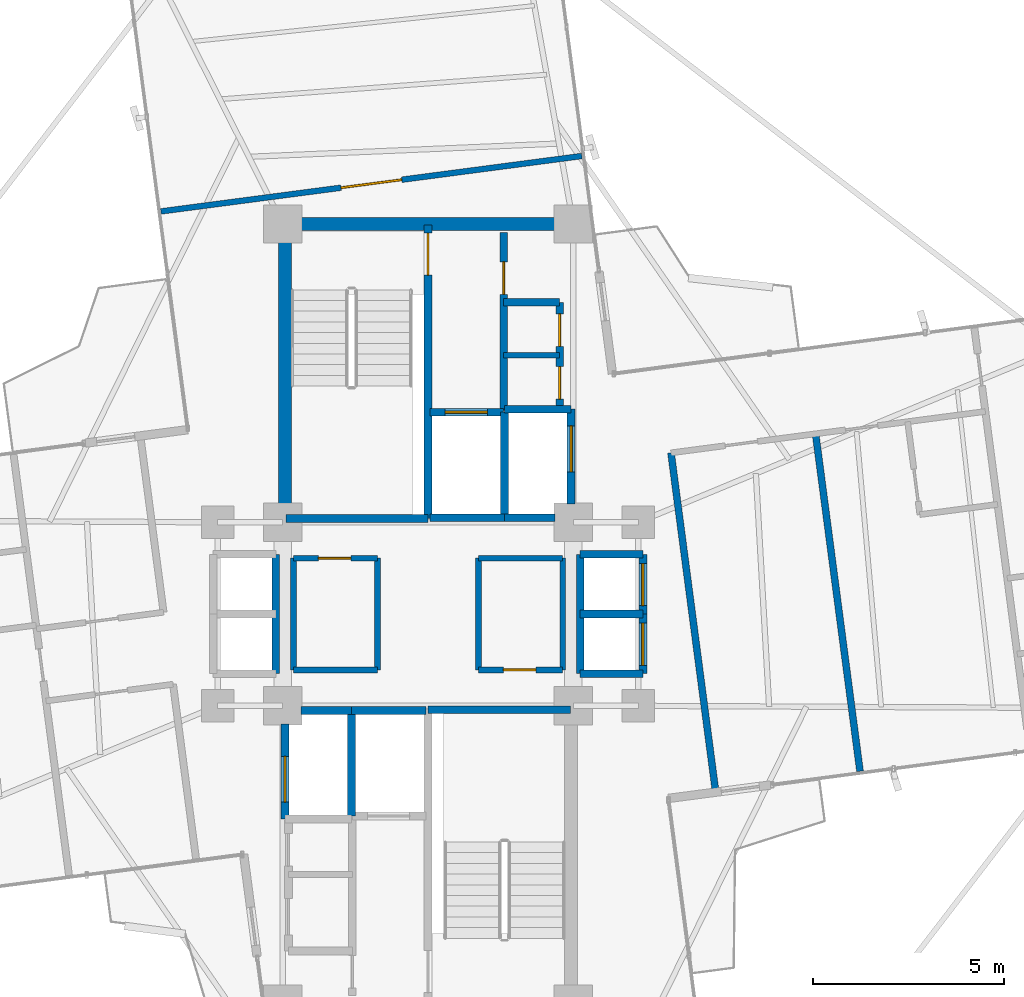
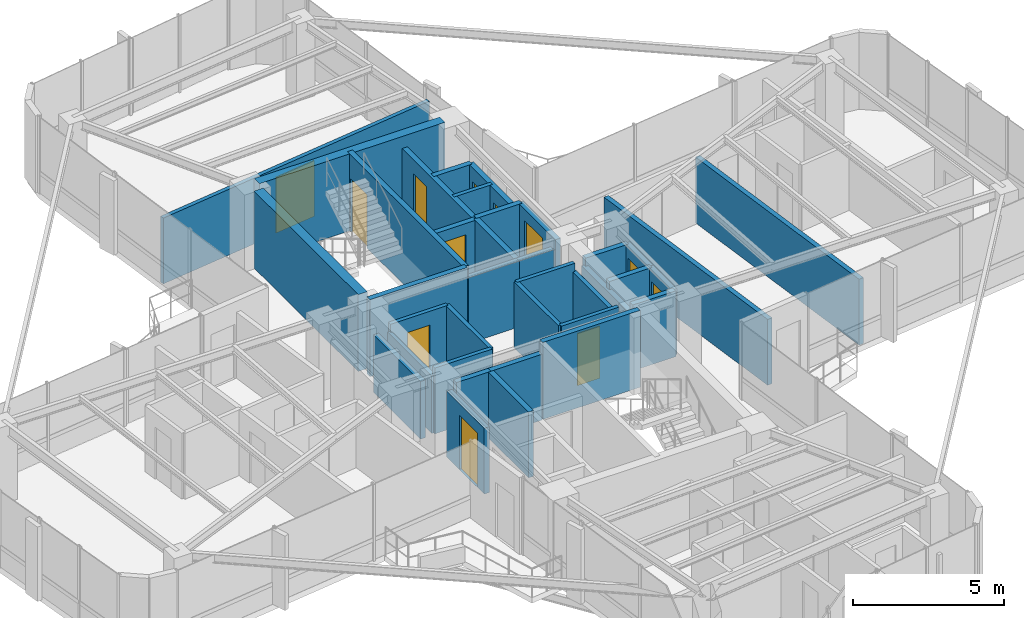
# One storey, part 20 of 22: 37 walls, 12 doors, 12 openings.
"""IFC4 building model written with IfcOpenShell, lengths in metres."""

from ifc_helpers import new_model, si_unit, direction, frame, frame_2d, origin, origin_2d, place, context, subcontext, project, spatial, rectangle, extrude, source, transform, mapped, material, layer, layer_set, type_object, element, fill, save


model = new_model("IFC4")

# Units and contexts
model_context = context("Model", 3, precision=1e-05, world=origin(), true_north=direction((0.0, 1.0)))
body_context = subcontext(model_context, "Body", "Model", "MODEL_VIEW")
ifc_project = project(units=[si_unit("LENGTHUNIT", "METRE"), si_unit("AREAUNIT", "SQUARE_METRE"), si_unit("VOLUMEUNIT", "CUBIC_METRE"), si_unit("PLANEANGLEUNIT", "RADIAN"), si_unit("MASSUNIT", "GRAM", prefix="KILO")], contexts=[model_context])

# Site, building, storey
site_placement = place(None, origin())
site = spatial("IfcSite", under=ifc_project, at=site_placement, CompositionType="ELEMENT")
building_placement = place(site_placement, origin())
building = spatial("IfcBuilding", under=site, at=building_placement, Name="Sahyath Konkavel Grand Hotel", CompositionType="ELEMENT")
storey_placement = place(building_placement, frame((0.0, 0.0, 269.10009765625)))
storey = spatial("IfcBuildingStorey", under=building, at=storey_placement, Name="L75", CompositionType="ELEMENT", Elevation=269.10009765625)

# Walls
ifc_material_1 = material(Name="Concrete C40/50", Category="concrete")
ifc_layer_1 = layer(ifc_material_1, 0.35009765625)
ifc_layer_set_1 = layer_set([ifc_layer_1], Name="Concrete C40/50")
wall_type_1 = type_object("IfcWallType", Name="CWALL-350", PredefinedType="SHEAR", material=ifc_layer_set_1)
wall_1_placement = place(storey_placement, frame((-3.550048828125, 10.199951171875, 0.0), z_axis=(0.0, 0.0, 1.0), x_axis=(1.0, 0.0, 0.0)))
element("IfcWall", 1, at=wall_1_placement, inside=storey, type_object=wall_type_1, Name="L75 North Core Shear Wall N", PredefinedType="SHEAR", context=body_context, shape_type="SweptSolid", body=[
    extrude(rectangle(XDim=7.10009765625, YDim=0.35009765625, at=frame_2d((3.550048828125, 0.0))), origin(), (0.0, 0.0, 1.0), 3.10986328125),
])
wall_2_placement = place(storey_placement, frame((-3.739990234375, 2.85009765625, 0.0), z_axis=(0.0, 0.0, 1.0), x_axis=(0.0, 1.0, 0.0)))
element("IfcWall", 2, at=wall_2_placement, inside=storey, type_object=wall_type_1, Name="L75 North Core Shear Wall W", PredefinedType="SHEAR", context=body_context, shape_type="SweptSolid", body=[
    extrude(rectangle(XDim=6.89990234375, YDim=0.35009765625, at=frame_2d((3.449951171875, 0.0))), origin(), (0.0, 0.0, 1.0), 3.10986328125),
])

# Wall, opening, door
ifc_layer_2 = layer(ifc_material_1, 0.199951171875)
ifc_layer_set_2 = layer_set([ifc_layer_2], Name="Concrete C40/50")
wall_type_2 = type_object("IfcWallType", Name="WLL-CORE-200", PredefinedType="SOLIDWALL", material=ifc_layer_set_2)
wall_3_placement = place(storey_placement, frame((0.0, 2.5, 0.0), z_axis=(0.0, 0.0, 1.0), x_axis=(0.0, 1.0, 0.0)))
wall_3 = element("IfcWall", 3, at=wall_3_placement, inside=storey, type_object=wall_type_2, Name="L75 Stair ST-1 Shaft Wall E", PredefinedType="SOLIDWALL", context=body_context, shape_type="SweptSolid", body=[
    extrude(rectangle(XDim=7.679931640625, YDim=0.199951171875, at=frame_2d((3.83984375, 0.0))), origin(), (0.0, 0.0, 1.0), 3.10986328125),
])
opening_1_placement = place(wall_3_placement, frame((6.360107421875, 0.0, 0.0)))
opening_1 = element("IfcOpeningElement", 4, at=opening_1_placement, cuts=wall_3, Name="Opening D-F12B", PredefinedType="OPENING", context=body_context, shape_type="SweptSolid", body=[
    extrude(rectangle(XDim=1.10009765625, YDim=2.14990234375, at=frame_2d((0.550048828125, 1.074951171875))), frame((0.0, 0.10986328125, 0.0), z_axis=(0.0, -1.0, 0.0), x_axis=(1.0, 0.0, 0.0)), (0.0, 0.0, 1.0), 0.219970703125),
])
ifc_material_2 = material(Name="Steel E350 Smokeproof Fire Door", Category="steel")
door_type_1 = type_object("IfcDoorType", Name="DR-FD120-1100", OperationType="NOTDEFINED", PredefinedType="DOOR", material=ifc_material_2)
shared_shape_1 = source(origin(), body_context, "Body", "SweptSolid", [
    extrude(rectangle(XDim=1.10009765625, YDim=0.050048828125, at=origin_2d()), origin(), (0.0, 0.0, 1.0), 2.14990234375),
])
door_1_placement = place(opening_1_placement, frame((0.550048828125, 0.0, 0.0)))
door_1 = element("IfcDoor", 5, at=door_1_placement, inside=storey, type_object=door_type_1, Name="L75 Stair ST-1 Fire Door", OperationType="SINGLE_SWING_LEFT", OverallHeight=2.14990234375, OverallWidth=1.10009765625, PredefinedType="DOOR", context=body_context, shape_type="MappedRepresentation", body=[
    mapped(shared_shape_1, transform((0.0, 0.0, 0.0), scale=1.0)),
])
fill(opening_1, door_1)

# Walls
for number, where, z_axis, x_axis, name in (
    (6, (-3.719970703125, 2.5, 0.0), (0.0, 0.0, 1.0), (1.0, 0.0, 0.0), "L75 Stair ST-1 Shaft Wall S"),
    (7, (0.0, -2.5, 0.0), (0.0, 0.0, 1.0), (1.0, 0.0, 0.0), "L75 Stair ST-2 Shaft Wall N"),
):
    element("IfcWall", number, at=place(storey_placement, frame(where, z_axis=z_axis, x_axis=x_axis)), inside=storey, type_object=wall_type_2, Name=name, PredefinedType="SOLIDWALL", context=body_context, shape_type="SweptSolid", body=[
        extrude(rectangle(XDim=3.719970703125, YDim=0.199951171875, at=frame_2d((1.85986328125, 0.0))), origin(), (0.0, 0.0, 1.0), 3.10986328125),
    ])

# Wall, opening, door
wall_4_placement = place(storey_placement, frame((1.97998046875, 5.320068359375, 0.0), z_axis=(0.0, 0.0, 1.0), x_axis=(0.0, 1.0, 0.0)))
wall_4 = element("IfcWall", 8, at=wall_4_placement, inside=storey, type_object=wall_type_2, Name="L75 North Firefighting Lobby Wall E", PredefinedType="SOLIDWALL", context=body_context, shape_type="SweptSolid", body=[
    extrude(rectangle(XDim=4.659912109375, YDim=0.199951171875, at=frame_2d((2.330078125, 0.0))), origin(), (0.0, 0.0, 1.0), 2.659912109375),
])
opening_2_placement = place(wall_4_placement, frame((3.0400390625, 0.0, 0.0)))
opening_2 = element("IfcOpeningElement", 9, at=opening_2_placement, cuts=wall_4, Name="Opening D-F12D", PredefinedType="OPENING", context=body_context, shape_type="SweptSolid", body=[
    extrude(rectangle(XDim=0.85009765625, YDim=2.10009765625, at=frame_2d((0.425048828125, 1.050048828125))), frame((0.0, 0.10986328125, 0.0), z_axis=(0.0, -1.0, 0.0), x_axis=(1.0, 0.0, 0.0)), (0.0, 0.0, 1.0), 0.219970703125),
])
ifc_material_3 = material(Name="Steel E350 Core Fire Door", Category="steel")
door_type_2 = type_object("IfcDoorType", Name="DR-FD120-850", OperationType="NOTDEFINED", PredefinedType="DOOR", material=ifc_material_3)
shared_shape_2 = source(origin(), body_context, "Body", "SweptSolid", [
    extrude(rectangle(XDim=0.85009765625, YDim=0.050048828125, at=origin_2d()), origin(), (0.0, 0.0, 1.0), 2.10009765625),
])
door_2_placement = place(opening_2_placement, frame((0.425048828125, 0.0, 0.0)))
door_2 = element("IfcDoor", 10, at=door_2_placement, inside=storey, type_object=door_type_2, Name="L75 North Firefighting Lobby Door", OperationType="SINGLE_SWING_LEFT", OverallHeight=2.10009765625, OverallWidth=0.85009765625, PredefinedType="DOOR", context=body_context, shape_type="MappedRepresentation", body=[
    mapped(shared_shape_2, transform((0.0, 0.0, 0.0), scale=1.0)),
])
fill(opening_2, door_2)

# Walls
wall_5_placement = place(storey_placement, frame((2.0, 2.5, 0.0), z_axis=(0.0, 0.0, 1.0), x_axis=(0.0, 1.0, 0.0)))
element("IfcWall", 11, at=wall_5_placement, inside=storey, type_object=wall_type_2, Name="L75 Partition SH-FFL1-E", PredefinedType="SOLIDWALL", context=body_context, shape_type="SweptSolid", body=[
    extrude(rectangle(XDim=2.780029296875, YDim=0.199951171875, at=frame_2d((1.39013671875, 0.0))), origin(), (0.0, 0.0, 1.0), 2.659912109375),
])
wall_6_placement = place(storey_placement, frame((0.050048828125, 2.52001953125, 0.0), z_axis=(0.0, 0.0, 1.0), x_axis=(1.0, 0.0, 0.0)))
element("IfcWall", 12, at=wall_6_placement, inside=storey, type_object=wall_type_2, Name="L75 Partition SH-FFL1-S", PredefinedType="SOLIDWALL", context=body_context, shape_type="SweptSolid", body=[
    extrude(rectangle(XDim=1.949951171875, YDim=0.199951171875, at=frame_2d((0.97509765625, 0.0))), origin(), (0.0, 0.0, 1.0), 2.659912109375),
])

# Wall, opening, door
wall_7_placement = place(storey_placement, frame((0.050048828125, 5.280029296875, 0.0), z_axis=(0.0, 0.0, 1.0), x_axis=(1.0, 0.0, 0.0)))
wall_7 = element("IfcWall", 13, at=wall_7_placement, inside=storey, type_object=wall_type_2, Name="L75 Partition SH-FFL1-N", PredefinedType="SOLIDWALL", context=body_context, shape_type="SweptSolid", body=[
    extrude(rectangle(XDim=1.929931640625, YDim=0.199951171875, at=frame_2d((0.96484375, 0.0))), origin(), (0.0, 0.0, 1.0), 2.659912109375),
])
opening_3_placement = place(wall_7_placement, frame((0.39990234375, 0.0, 0.0)))
opening_3 = element("IfcOpeningElement", 14, at=opening_3_placement, cuts=wall_7, Name="Opening LD-11", PredefinedType="OPENING", context=body_context, shape_type="SweptSolid", body=[
    extrude(rectangle(XDim=1.10009765625, YDim=2.199951171875, at=frame_2d((0.550048828125, 1.10009765625))), frame((0.0, 0.10986328125, 0.0), z_axis=(0.0, -1.0, 0.0), x_axis=(1.0, 0.0, 0.0)), (0.0, 0.0, 1.0), 0.219970703125),
])
ifc_material_4 = material(Name="Bronze Lift Landing Door 1100")
door_type_3 = type_object("IfcDoorType", Name="DR-LIFT-1100", OperationType="DOUBLE_DOOR_SLIDING", PredefinedType="DOOR", material=ifc_material_4)
shared_shape_3 = source(origin(), body_context, "Body", "SweptSolid", [
    extrude(rectangle(XDim=1.10009765625, YDim=0.050048828125, at=origin_2d()), origin(), (0.0, 0.0, 1.0), 2.199951171875),
])
door_3_placement = place(opening_3_placement, frame((0.550048828125, 0.0, 0.0)))
door_3 = element("IfcDoor", 15, at=door_3_placement, inside=storey, type_object=door_type_3, Name="L75 Lift FFL-1 Landing Door", OperationType="DOUBLE_DOOR_SLIDING", OverallHeight=2.199951171875, OverallWidth=1.10009765625, PredefinedType="DOOR", context=body_context, shape_type="MappedRepresentation", body=[
    mapped(shared_shape_3, transform((0.0, 0.0, 0.0), scale=1.0)),
])
fill(opening_3, door_3)

# Walls
wall_8_placement = place(storey_placement, frame((-2.0, -5.280029296875, 0.0), z_axis=(0.0, 0.0, 1.0), x_axis=(0.0, 1.0, 0.0)))
element("IfcWall", 16, at=wall_8_placement, inside=storey, type_object=wall_type_2, Name="L75 Partition SH-FFL2-W", PredefinedType="SOLIDWALL", context=body_context, shape_type="SweptSolid", body=[
    extrude(rectangle(XDim=2.780029296875, YDim=0.199951171875, at=frame_2d((1.39013671875, 0.0))), origin(), (0.0, 0.0, 1.0), 2.659912109375),
])
wall_9_placement = place(storey_placement, frame((-2.0, -2.52001953125, 0.0), z_axis=(0.0, 0.0, 1.0), x_axis=(1.0, 0.0, 0.0)))
element("IfcWall", 17, at=wall_9_placement, inside=storey, type_object=wall_type_2, Name="L75 Partition SH-FFL2-N", PredefinedType="SOLIDWALL", context=body_context, shape_type="SweptSolid", body=[
    extrude(rectangle(XDim=1.949951171875, YDim=0.199951171875, at=frame_2d((0.97509765625, 0.0))), origin(), (0.0, 0.0, 1.0), 2.659912109375),
])
wall_10_placement = place(storey_placement, frame((2.0, 2.52001953125, 0.0), z_axis=(0.0, 0.0, 1.0), x_axis=(1.0, 0.0, 0.0)))
element("IfcWall", 18, at=wall_10_placement, inside=storey, type_object=wall_type_2, Name="L75 Partition SH-SVL1-S", PredefinedType="SOLIDWALL", context=body_context, shape_type="SweptSolid", body=[
    extrude(rectangle(XDim=1.320068359375, YDim=0.199951171875, at=frame_2d((0.66015625, 0.0))), origin(), (0.0, 0.0, 1.0), 2.659912109375),
])
wall_11_placement = place(storey_placement, frame((2.0, 5.360107421875, 0.0), z_axis=(0.0, 0.0, 1.0), x_axis=(1.0, 0.0, 0.0)))
element("IfcWall", 19, at=wall_11_placement, inside=storey, type_object=wall_type_2, Name="L75 Partition SH-SVL1-N", PredefinedType="SOLIDWALL", context=body_context, shape_type="SweptSolid", body=[
    extrude(rectangle(XDim=1.739990234375, YDim=0.199951171875, at=frame_2d((0.8701171875, 0.0))), origin(), (0.0, 0.0, 1.0), 2.659912109375),
])

# Wall, opening, door
wall_12_placement = place(storey_placement, frame((3.739990234375, 2.8798828125, 0.0), z_axis=(0.0, 0.0, 1.0), x_axis=(0.0, 1.0, 0.0)))
wall_12 = element("IfcWall", 20, at=wall_12_placement, inside=storey, type_object=wall_type_2, Name="L75 Partition SH-SVL1-E", PredefinedType="SOLIDWALL", context=body_context, shape_type="SweptSolid", body=[
    extrude(rectangle(XDim=2.480224609375, YDim=0.199951171875, at=frame_2d((1.240234375, 0.0))), origin(), (0.0, 0.0, 1.0), 2.659912109375),
])
opening_4_placement = place(wall_12_placement, frame((0.840087890625, 0.0, 0.0)))
opening_4 = element("IfcOpeningElement", 21, at=opening_4_placement, cuts=wall_12, Name="Opening LD-12", PredefinedType="OPENING", context=body_context, shape_type="SweptSolid", body=[
    extrude(rectangle(XDim=1.199951171875, YDim=2.199951171875, at=frame_2d((0.60009765625, 1.10009765625))), frame((0.0, 0.10986328125, 0.0), z_axis=(0.0, -1.0, 0.0), x_axis=(1.0, 0.0, 0.0)), (0.0, 0.0, 1.0), 0.219970703125),
])
ifc_material_5 = material(Name="Stainless Steel Lift Landing Door 1200", Category="steel")
door_type_4 = type_object("IfcDoorType", Name="DR-LIFT-1200", OperationType="DOUBLE_DOOR_SLIDING", PredefinedType="DOOR", material=ifc_material_5)
shared_shape_4 = source(origin(), body_context, "Body", "SweptSolid", [
    extrude(rectangle(XDim=1.199951171875, YDim=0.050048828125, at=origin_2d()), origin(), (0.0, 0.0, 1.0), 2.199951171875),
])
door_4_placement = place(opening_4_placement, frame((0.60009765625, 0.0, 0.0)))
door_4 = element("IfcDoor", 22, at=door_4_placement, inside=storey, type_object=door_type_4, Name="L75 Service Lift SVL-1 Landing Door", OperationType="DOUBLE_DOOR_SLIDING", OverallHeight=2.199951171875, OverallWidth=1.199951171875, PredefinedType="DOOR", context=body_context, shape_type="MappedRepresentation", body=[
    mapped(shared_shape_4, transform((0.0, 0.0, 0.0), scale=1.0)),
])
fill(opening_4, door_4)

# Wall
wall_13_placement = place(storey_placement, frame((-3.320068359375, -2.52001953125, 0.0), z_axis=(0.0, 0.0, 1.0), x_axis=(1.0, 0.0, 0.0)))
element("IfcWall", 23, at=wall_13_placement, inside=storey, type_object=wall_type_2, Name="L75 Partition SH-SVL2-N", PredefinedType="SOLIDWALL", context=body_context, shape_type="SweptSolid", body=[
    extrude(rectangle(XDim=1.320068359375, YDim=0.199951171875, at=frame_2d((0.66015625, 0.0))), origin(), (0.0, 0.0, 1.0), 2.659912109375),
])

# Wall, opening, door
wall_14_placement = place(storey_placement, frame((-3.739990234375, -5.360107421875, 0.0), z_axis=(0.0, 0.0, 1.0), x_axis=(0.0, 1.0, 0.0)))
wall_14 = element("IfcWall", 24, at=wall_14_placement, inside=storey, type_object=wall_type_2, Name="L75 Partition SH-SVL2-W", PredefinedType="SOLIDWALL", context=body_context, shape_type="SweptSolid", body=[
    extrude(rectangle(XDim=2.480224609375, YDim=0.199951171875, at=frame_2d((1.240234375, 0.0))), origin(), (0.0, 0.0, 1.0), 2.659912109375),
])
opening_5_placement = place(wall_14_placement, frame((0.43994140625, 0.0, 0.0)))
opening_5 = element("IfcOpeningElement", 25, at=opening_5_placement, cuts=wall_14, Name="Opening LD-12", PredefinedType="OPENING", context=body_context, shape_type="SweptSolid", body=[
    extrude(rectangle(XDim=1.199951171875, YDim=2.199951171875, at=frame_2d((0.60009765625, 1.10009765625))), frame((0.0, 0.10986328125, 0.0), z_axis=(0.0, -1.0, 0.0), x_axis=(1.0, 0.0, 0.0)), (0.0, 0.0, 1.0), 0.219970703125),
])
door_5_placement = place(opening_5_placement, frame((0.60009765625, 0.0, 0.0)))
door_5 = element("IfcDoor", 26, at=door_5_placement, inside=storey, type_object=door_type_4, Name="L75 Service Lift SVL-2 Landing Door", OperationType="DOUBLE_DOOR_SLIDING", OverallHeight=2.199951171875, OverallWidth=1.199951171875, PredefinedType="DOOR", context=body_context, shape_type="MappedRepresentation", body=[
    mapped(shared_shape_4, transform((0.0, 0.0, 0.0), scale=1.0)),
])
fill(opening_5, door_5)

# Walls
wall_15_placement = place(storey_placement, frame((3.97998046875, -1.56005859375, 0.0), z_axis=(0.0, 0.0, 1.0), x_axis=(0.0, 1.0, 0.0)))
element("IfcWall", 27, at=wall_15_placement, inside=storey, type_object=wall_type_2, Name="L75 Partition SH-PL56-W", PredefinedType="SOLIDWALL", context=body_context, shape_type="SweptSolid", body=[
    extrude(rectangle(XDim=3.1201171875, YDim=0.199951171875, at=frame_2d((1.56005859375, 0.0))), origin(), (0.0, 0.0, 1.0), 2.329833984375),
])
for number, where, z_axis, x_axis, name in (
    (28, (3.97998046875, 1.56005859375, 0.0), (0.0, 0.0, 1.0), (1.0, 0.0, 0.0), "L75 Partition SH-PL56-N"),
    (29, (3.97998046875, -1.56005859375, 0.0), (0.0, 0.0, 1.0), (1.0, 0.0, 0.0), "L75 Partition SH-PL56-S"),
    (30, (3.97998046875, 0.0, 0.0), (0.0, 0.0, 1.0), (1.0, 0.0, 0.0), "L75 Partition SH-PL56-M"),
):
    element("IfcWall", number, at=place(storey_placement, frame(where, z_axis=z_axis, x_axis=x_axis)), inside=storey, type_object=wall_type_2, Name=name, PredefinedType="SOLIDWALL", context=body_context, shape_type="SweptSolid", body=[
        extrude(rectangle(XDim=1.64013671875, YDim=0.199951171875, at=frame_2d((0.820068359375, 0.0))), origin(), (0.0, 0.0, 1.0), 2.659912109375),
    ])

# Wall, opening, door
wall_16_placement = place(storey_placement, frame((5.6201171875, 0.0, 0.0), z_axis=(0.0, 0.0, 1.0), x_axis=(0.0, 1.0, 0.0)))
wall_16 = element("IfcWall", 31, at=wall_16_placement, inside=storey, type_object=wall_type_2, Name="L75 Partition SH-PL5-E", PredefinedType="SOLIDWALL", context=body_context, shape_type="SweptSolid", body=[
    extrude(rectangle(XDim=1.56005859375, YDim=0.199951171875, at=frame_2d((0.780029296875, 0.0))), origin(), (0.0, 0.0, 1.0), 2.659912109375),
])
opening_6_placement = place(wall_16_placement, frame((0.219970703125, 0.0, 0.0)))
opening_6 = element("IfcOpeningElement", 32, at=opening_6_placement, cuts=wall_16, Name="Opening LD-11", PredefinedType="OPENING", context=body_context, shape_type="SweptSolid", body=[
    extrude(rectangle(XDim=1.10009765625, YDim=2.199951171875, at=frame_2d((0.550048828125, 1.10009765625))), frame((0.0, 0.10986328125, 0.0), z_axis=(0.0, -1.0, 0.0), x_axis=(1.0, 0.0, 0.0)), (0.0, 0.0, 1.0), 0.219970703125),
])
door_6_placement = place(opening_6_placement, frame((0.550048828125, 0.0, 0.0)))
door_6 = element("IfcDoor", 33, at=door_6_placement, inside=storey, type_object=door_type_3, Name="L75 High-Rise Lift PL-5 Landing Door", OperationType="DOUBLE_DOOR_SLIDING", OverallHeight=2.199951171875, OverallWidth=1.10009765625, PredefinedType="DOOR", context=body_context, shape_type="MappedRepresentation", body=[
    mapped(shared_shape_3, transform((0.0, 0.0, 0.0), scale=1.0)),
])
fill(opening_6, door_6)

wall_17_placement = place(storey_placement, frame((5.6201171875, -1.56005859375, 0.0), z_axis=(0.0, 0.0, 1.0), x_axis=(0.0, 1.0, 0.0)))
wall_17 = element("IfcWall", 34, at=wall_17_placement, inside=storey, type_object=wall_type_2, Name="L75 Partition SH-PL6-E", PredefinedType="SOLIDWALL", context=body_context, shape_type="SweptSolid", body=[
    extrude(rectangle(XDim=1.56005859375, YDim=0.199951171875, at=frame_2d((0.780029296875, 0.0))), origin(), (0.0, 0.0, 1.0), 2.659912109375),
])
opening_7_placement = place(wall_17_placement, frame((0.219970703125, 0.0, 0.0)))
opening_7 = element("IfcOpeningElement", 35, at=opening_7_placement, cuts=wall_17, Name="Opening LD-11", PredefinedType="OPENING", context=body_context, shape_type="SweptSolid", body=[
    extrude(rectangle(XDim=1.10009765625, YDim=2.199951171875, at=frame_2d((0.550048828125, 1.10009765625))), frame((0.0, 0.10986328125, 0.0), z_axis=(0.0, -1.0, 0.0), x_axis=(1.0, 0.0, 0.0)), (0.0, 0.0, 1.0), 0.219970703125),
])
door_7_placement = place(opening_7_placement, frame((0.550048828125, 0.0, 0.0)))
door_7 = element("IfcDoor", 36, at=door_7_placement, inside=storey, type_object=door_type_3, Name="L75 High-Rise Lift PL-6 Landing Door", OperationType="DOUBLE_DOOR_SLIDING", OverallHeight=2.199951171875, OverallWidth=1.10009765625, PredefinedType="DOOR", context=body_context, shape_type="MappedRepresentation", body=[
    mapped(shared_shape_3, transform((0.0, 0.0, 0.0), scale=1.0)),
])
fill(opening_7, door_7)

# Wall
wall_18_placement = place(storey_placement, frame((-3.97998046875, -1.56005859375, 0.0), z_axis=(0.0, 0.0, 1.0), x_axis=(0.0, 1.0, 0.0)))
element("IfcWall", 37, at=wall_18_placement, inside=storey, type_object=wall_type_2, Name="L75 Partition SH-SL12-E", PredefinedType="SOLIDWALL", context=body_context, shape_type="SweptSolid", body=[
    extrude(rectangle(XDim=3.1201171875, YDim=0.199951171875, at=frame_2d((1.56005859375, 0.0))), origin(), (0.0, 0.0, 1.0), 2.329833984375),
])

# Wall, openings, doors
wall_19_placement = place(storey_placement, frame((3.43994140625, 5.3798828125, 0.0), z_axis=(0.0, 0.0, 1.0), x_axis=(0.0, 1.0, 0.0)))
wall_19 = element("IfcWall", 38, at=wall_19_placement, inside=storey, type_object=wall_type_2, Name="L75 Reclaimed North Core Wall E", PredefinedType="SOLIDWALL", context=body_context, shape_type="SweptSolid", body=[
    extrude(rectangle(XDim=2.77001953125, YDim=0.199951171875, at=frame_2d((1.385009765625, 0.0))), origin(), (0.0, 0.0, 1.0), 2.659912109375),
])
opening_8_placement = place(wall_19_placement, frame((0.239990234375, 0.0, 0.0)))
opening_8 = element("IfcOpeningElement", 39, at=opening_8_placement, cuts=wall_19, Name="Opening D-F06D", PredefinedType="OPENING", context=body_context, shape_type="SweptSolid", body=[
    extrude(rectangle(XDim=0.85009765625, YDim=2.10009765625, at=frame_2d((0.425048828125, 1.050048828125))), frame((0.0, 0.10986328125, 0.0), z_axis=(0.0, -1.0, 0.0), x_axis=(1.0, 0.0, 0.0)), (0.0, 0.0, 1.0), 0.219970703125),
])
opening_9_placement = place(wall_19_placement, frame((1.6201171875, 0.0, 0.0)))
opening_9 = element("IfcOpeningElement", 40, at=opening_9_placement, cuts=wall_19, Name="Opening D-F06D", PredefinedType="OPENING", context=body_context, shape_type="SweptSolid", body=[
    extrude(rectangle(XDim=0.85009765625, YDim=2.10009765625, at=frame_2d((0.425048828125, 1.050048828125))), frame((0.0, 0.10986328125, 0.0), z_axis=(0.0, -1.0, 0.0), x_axis=(1.0, 0.0, 0.0)), (0.0, 0.0, 1.0), 0.219970703125),
])
ifc_material_6 = material(Name="Fire-Rated Shaft Access Door")
door_type_5 = type_object("IfcDoorType", Name="DR-FD60-850", OperationType="NOTDEFINED", PredefinedType="DOOR", material=ifc_material_6)
door_8_placement = place(opening_8_placement, frame((0.425048828125, 0.0, 0.0)))
door_8 = element("IfcDoor", 41, at=door_8_placement, inside=storey, type_object=door_type_5, Name="L75 Door NC-REC1-D", OperationType="SINGLE_SWING_LEFT", OverallHeight=2.10009765625, OverallWidth=0.85009765625, PredefinedType="DOOR", context=body_context, shape_type="MappedRepresentation", body=[
    mapped(shared_shape_2, transform((0.0, 0.0, 0.0), scale=1.0)),
])
fill(opening_8, door_8)
door_9_placement = place(opening_9_placement, frame((0.425048828125, 0.0, 0.0)))
door_9 = element("IfcDoor", 42, at=door_9_placement, inside=storey, type_object=door_type_5, Name="L75 Door NC-REC2-D", OperationType="SINGLE_SWING_RIGHT", OverallHeight=2.10009765625, OverallWidth=0.85009765625, PredefinedType="DOOR", context=body_context, shape_type="MappedRepresentation", body=[
    mapped(shared_shape_2, transform((0.0, 0.0, 0.0), scale=1.0)),
])
fill(opening_9, door_9)

# Walls
wall_20_placement = place(storey_placement, frame((1.97998046875, 8.14990234375, 0.0), z_axis=(0.0, 0.0, 1.0), x_axis=(1.0, 0.0, 0.0)))
element("IfcWall", 43, at=wall_20_placement, inside=storey, type_object=wall_type_2, Name="L75 Partition NC-REC-N", PredefinedType="SOLIDWALL", context=body_context, shape_type="SweptSolid", body=[
    extrude(rectangle(XDim=1.4599609375, YDim=0.199951171875, at=frame_2d((0.72998046875, 0.0))), origin(), (0.0, 0.0, 1.0), 2.659912109375),
])
ifc_material_7 = material(Name="Twin-Stud Acoustic Gypsum Plasterboard Partition")
ifc_layer_3 = layer(ifc_material_7, 0.179931640625)
ifc_layer_set_3 = layer_set([ifc_layer_3], Name="Twin-Stud Acoustic Gypsum Plasterboard Partition")
wall_type_3 = type_object("IfcWallType", Name="WLL-DEMISE-180", PredefinedType="PARTITIONING", material=ifc_layer_set_3)
for number, where, z_axis, x_axis, name in (
    (44, (7.515869140625, -4.6083984375, 0.0), (0.0, 0.0, 1.0), (-0.130548179903, 0.991441966392, 0.0), "L75 Partition E-G5I"),
    (45, (10.134521484375, 4.713134765625, 0.0), (0.0, 0.0, 1.0), (0.130521215423, -0.991445516569, 0.0), "L75 Partition E-ED1-DEM"),
):
    element("IfcWall", number, at=place(storey_placement, frame(where, z_axis=z_axis, x_axis=x_axis)), inside=storey, type_object=wall_type_3, Name=name, PredefinedType="PARTITIONING", context=body_context, shape_type="SweptSolid", body=[
        extrude(rectangle(XDim=8.89990234375, YDim=0.179931640625, at=frame_2d((4.449951171875, 0.0))), origin(), (0.0, 0.0, 1.0), 2.659912109375),
    ])
ifc_material_8 = material(Name="Fire-Rated Gypsum Plasterboard Partition")
ifc_layer_4 = layer(ifc_material_8, 0.14990234375)
ifc_layer_set_4 = layer_set([ifc_layer_4], Name="Fire-Rated Gypsum Plasterboard Partition")
wall_type_4 = type_object("IfcWallType", Name="WLL-PART-150", PredefinedType="PARTITIONING", material=ifc_layer_set_4)
wall_21_placement = place(storey_placement, frame((1.97998046875, 6.77001953125, 0.0), z_axis=(0.0, 0.0, 1.0), x_axis=(1.0, 0.0, 0.0)))
element("IfcWall", 46, at=wall_21_placement, inside=storey, type_object=wall_type_4, Name="L75 Partition NC-REC-M1", PredefinedType="PARTITIONING", context=body_context, shape_type="SweptSolid", body=[
    extrude(rectangle(XDim=1.4599609375, YDim=0.14990234375, at=frame_2d((0.72998046875, 0.0))), origin(), (0.0, 0.0, 1.0), 2.659912109375),
])
wall_22_placement = place(storey_placement, frame((-1.320068359375, -1.4599609375, 0.0), z_axis=(0.0, 0.0, 1.0), x_axis=(0.0, 1.0, 0.0)))
element("IfcWall", 47, at=wall_22_placement, inside=storey, type_object=wall_type_4, Name="L75 Partition CC-1WI", PredefinedType="PARTITIONING", context=body_context, shape_type="SweptSolid", body=[
    extrude(rectangle(XDim=2.919921875, YDim=0.14990234375, at=frame_2d((1.4599609375, 0.0))), origin(), (0.0, 0.0, 1.0), 2.659912109375),
])
wall_23_placement = place(storey_placement, frame((-3.52001953125, -1.4599609375, 0.0), z_axis=(0.0, 0.0, 1.0), x_axis=(0.0, 1.0, 0.0)))
element("IfcWall", 48, at=wall_23_placement, inside=storey, type_object=wall_type_4, Name="L75 Partition CC-1WO", PredefinedType="PARTITIONING", context=body_context, shape_type="SweptSolid", body=[
    extrude(rectangle(XDim=2.919921875, YDim=0.14990234375, at=frame_2d((1.4599609375, 0.0))), origin(), (0.0, 0.0, 1.0), 2.329833984375),
])

# Wall, opening, door
wall_24_placement = place(storey_placement, frame((-3.52001953125, 1.4599609375, 0.0), z_axis=(0.0, 0.0, 1.0), x_axis=(1.0, 0.0, 0.0)))
wall_24 = element("IfcWall", 49, at=wall_24_placement, inside=storey, type_object=wall_type_4, Name="L75 Partition CC-1WN", PredefinedType="PARTITIONING", context=body_context, shape_type="SweptSolid", body=[
    extrude(rectangle(XDim=2.199951171875, YDim=0.14990234375, at=frame_2d((1.10009765625, 0.0))), origin(), (0.0, 0.0, 1.0), 2.659912109375),
])
opening_10_placement = place(wall_24_placement, frame((0.64990234375, 0.0, 0.0)))
opening_10 = element("IfcOpeningElement", 50, at=opening_10_placement, cuts=wall_24, Name="Opening D-F06D", PredefinedType="OPENING", context=body_context, shape_type="SweptSolid", body=[
    extrude(rectangle(XDim=0.85009765625, YDim=2.10009765625, at=frame_2d((0.425048828125, 1.050048828125))), frame((0.0, 0.0849609375, 0.0), z_axis=(0.0, -1.0, 0.0), x_axis=(1.0, 0.0, 0.0)), (0.0, 0.0, 1.0), 0.169921875),
])
door_10_placement = place(opening_10_placement, frame((0.425048828125, 0.0, 0.0)))
door_10 = element("IfcDoor", 51, at=door_10_placement, inside=storey, type_object=door_type_5, Name="L75 Door CC-D1W", OperationType="SINGLE_SWING_LEFT", OverallHeight=2.10009765625, OverallWidth=0.85009765625, PredefinedType="DOOR", context=body_context, shape_type="MappedRepresentation", body=[
    mapped(shared_shape_2, transform((0.0, 0.0, 0.0), scale=1.0)),
])
fill(opening_10, door_10)

# Walls
wall_25_placement = place(storey_placement, frame((-3.52001953125, -1.4599609375, 0.0), z_axis=(0.0, 0.0, 1.0), x_axis=(1.0, 0.0, 0.0)))
element("IfcWall", 52, at=wall_25_placement, inside=storey, type_object=wall_type_4, Name="L75 Partition CC-1WS", PredefinedType="PARTITIONING", context=body_context, shape_type="SweptSolid", body=[
    extrude(rectangle(XDim=2.199951171875, YDim=0.14990234375, at=frame_2d((1.10009765625, 0.0))), origin(), (0.0, 0.0, 1.0), 2.659912109375),
])
wall_26_placement = place(storey_placement, frame((1.320068359375, -1.4599609375, 0.0), z_axis=(0.0, 0.0, 1.0), x_axis=(0.0, 1.0, 0.0)))
element("IfcWall", 53, at=wall_26_placement, inside=storey, type_object=wall_type_4, Name="L75 Partition CC-1EI", PredefinedType="PARTITIONING", context=body_context, shape_type="SweptSolid", body=[
    extrude(rectangle(XDim=2.919921875, YDim=0.14990234375, at=frame_2d((1.4599609375, 0.0))), origin(), (0.0, 0.0, 1.0), 2.659912109375),
])
wall_27_placement = place(storey_placement, frame((3.52001953125, -1.4599609375, 0.0), z_axis=(0.0, 0.0, 1.0), x_axis=(0.0, 1.0, 0.0)))
element("IfcWall", 54, at=wall_27_placement, inside=storey, type_object=wall_type_4, Name="L75 Partition CC-1EO", PredefinedType="PARTITIONING", context=body_context, shape_type="SweptSolid", body=[
    extrude(rectangle(XDim=2.919921875, YDim=0.14990234375, at=frame_2d((1.4599609375, 0.0))), origin(), (0.0, 0.0, 1.0), 2.329833984375),
])
wall_28_placement = place(storey_placement, frame((1.320068359375, 1.4599609375, 0.0), z_axis=(0.0, 0.0, 1.0), x_axis=(1.0, 0.0, 0.0)))
element("IfcWall", 55, at=wall_28_placement, inside=storey, type_object=wall_type_4, Name="L75 Partition CC-1EN", PredefinedType="PARTITIONING", context=body_context, shape_type="SweptSolid", body=[
    extrude(rectangle(XDim=2.199951171875, YDim=0.14990234375, at=frame_2d((1.10009765625, 0.0))), origin(), (0.0, 0.0, 1.0), 2.659912109375),
])

# Wall, opening, door
wall_29_placement = place(storey_placement, frame((1.320068359375, -1.4599609375, 0.0), z_axis=(0.0, 0.0, 1.0), x_axis=(1.0, 0.0, 0.0)))
wall_29 = element("IfcWall", 56, at=wall_29_placement, inside=storey, type_object=wall_type_4, Name="L75 Partition CC-1ES", PredefinedType="PARTITIONING", context=body_context, shape_type="SweptSolid", body=[
    extrude(rectangle(XDim=2.199951171875, YDim=0.14990234375, at=frame_2d((1.10009765625, 0.0))), origin(), (0.0, 0.0, 1.0), 2.659912109375),
])
opening_11_placement = place(wall_29_placement, frame((0.64990234375, 0.0, 0.0)))
opening_11 = element("IfcOpeningElement", 57, at=opening_11_placement, cuts=wall_29, Name="Opening D-F06D", PredefinedType="OPENING", context=body_context, shape_type="SweptSolid", body=[
    extrude(rectangle(XDim=0.85009765625, YDim=2.10009765625, at=frame_2d((0.425048828125, 1.050048828125))), frame((0.0, 0.0849609375, 0.0), z_axis=(0.0, -1.0, 0.0), x_axis=(1.0, 0.0, 0.0)), (0.0, 0.0, 1.0), 0.169921875),
])
door_11_placement = place(opening_11_placement, frame((0.425048828125, 0.0, 0.0)))
door_11 = element("IfcDoor", 58, at=door_11_placement, inside=storey, type_object=door_type_5, Name="L75 Door CC-D1E", OperationType="SINGLE_SWING_RIGHT", OverallHeight=2.10009765625, OverallWidth=0.85009765625, PredefinedType="DOOR", context=body_context, shape_type="MappedRepresentation", body=[
    mapped(shared_shape_2, transform((0.0, 0.0, 0.0), scale=1.0)),
])
fill(opening_11, door_11)

wall_30_placement = place(storey_placement, frame((4.02099609375, 11.977294921875, 0.0), z_axis=(0.0, 0.0, 1.0), x_axis=(-0.991445908749, -0.130518236368, 0.0)))
wall_30 = element("IfcWall", 59, at=wall_30_placement, inside=storey, type_object=wall_type_4, Name="L75 Partition N-SAL-IN", PredefinedType="PARTITIONING", context=body_context, shape_type="SweptSolid", body=[
    extrude(rectangle(XDim=11.099853515625, YDim=0.14990234375, at=frame_2d((5.5498046875, 0.0))), origin(), (0.0, 0.0, 1.0), 2.659912109375),
])
opening_12_placement = place(wall_30_placement, frame((4.75, 0.0, 0.0)))
opening_12 = element("IfcOpeningElement", 60, at=opening_12_placement, cuts=wall_30, Name="Opening D-DB16", PredefinedType="OPENING", context=body_context, shape_type="SweptSolid", body=[
    extrude(rectangle(XDim=1.60009765625, YDim=2.25, at=frame_2d((0.800048828125, 1.125))), frame((0.0, 0.0849609375, 0.0), z_axis=(0.0, -1.0, 0.0), x_axis=(1.0, 0.0, 0.0)), (0.0, 0.0, 1.0), 0.169921875),
])
ifc_material_9 = material(Name="Double Leaf Lounge Glazed Timber Door", Category="wood")
door_type_6 = type_object("IfcDoorType", Name="DR-DBL-1600", OperationType="DOUBLE_DOOR_SINGLE_SWING", PredefinedType="DOOR", material=ifc_material_9)
shared_shape_5 = source(origin(), body_context, "Body", "SweptSolid", [
    extrude(rectangle(XDim=1.60009765625, YDim=0.050048828125, at=origin_2d()), origin(), (0.0, 0.0, 1.0), 2.25),
])
door_12_placement = place(opening_12_placement, frame((0.800048828125, 0.0, 0.0)))
door_12 = element("IfcDoor", 61, at=door_12_placement, inside=storey, type_object=door_type_6, Name="L75 Door N-SAL-D", OperationType="DOUBLE_DOOR_SINGLE_SWING", OverallHeight=2.25, OverallWidth=1.60009765625, PredefinedType="DOOR", context=body_context, shape_type="MappedRepresentation", body=[
    mapped(shared_shape_5, transform((0.0, 0.0, 0.0), scale=1.0)),
])
fill(opening_12, door_12)

save(model, "model.ifc")
